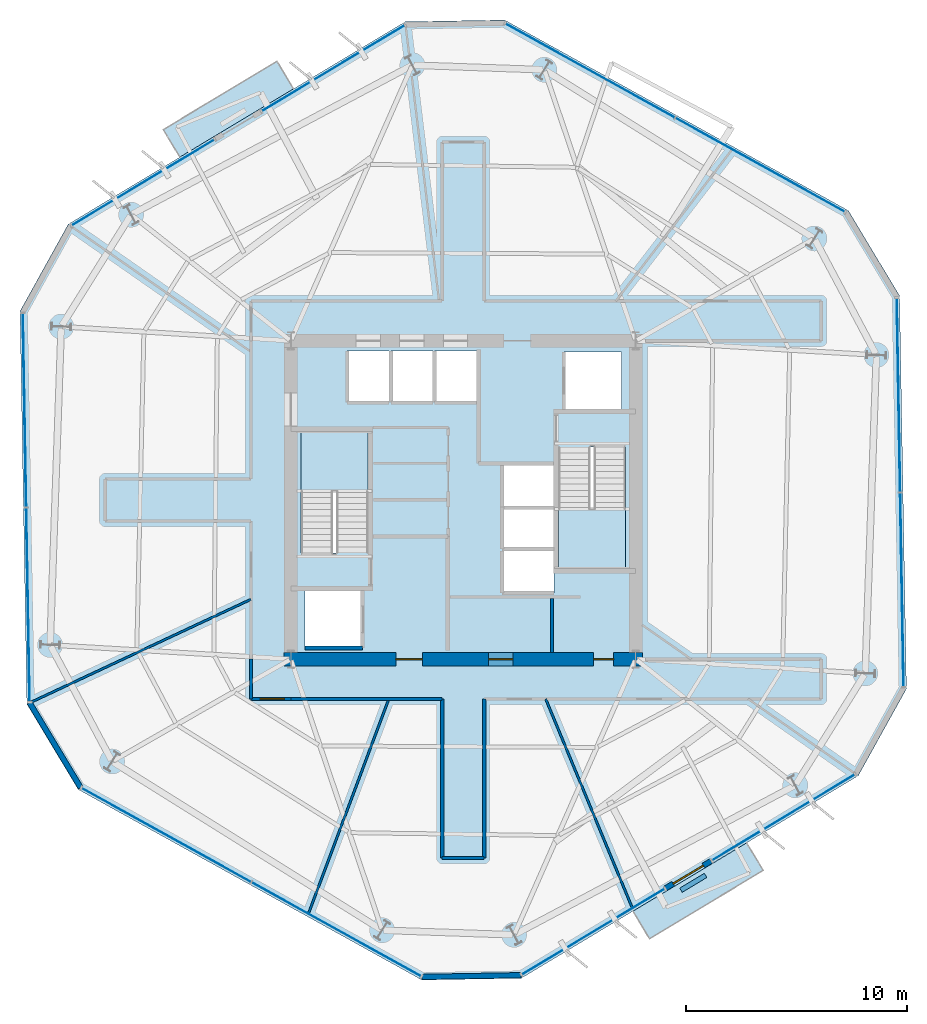
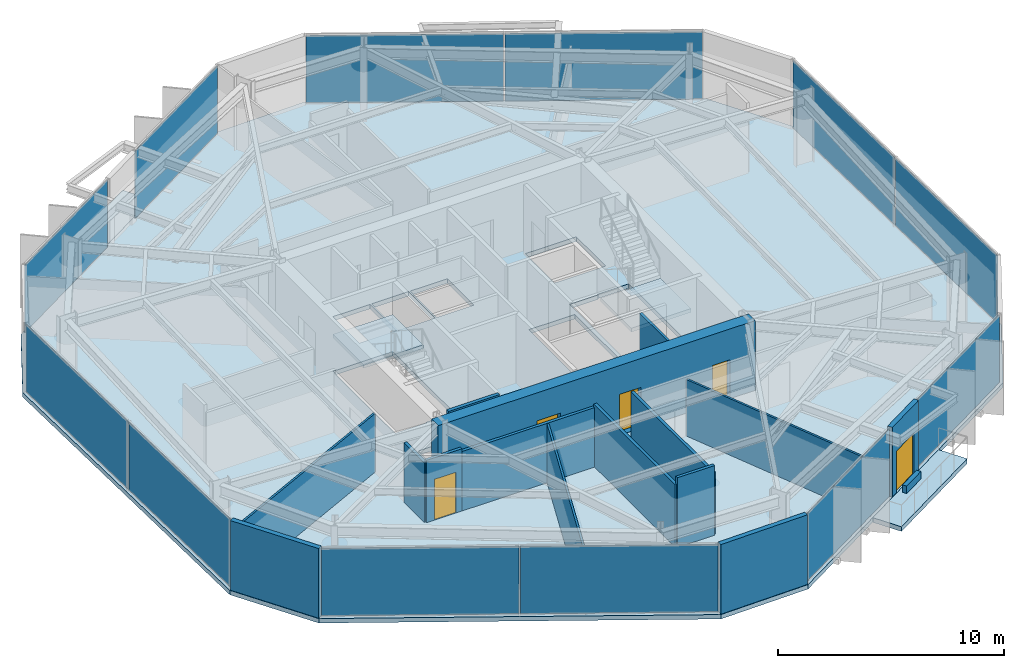
# One storey, part 6 of 11: 16 walls, 12 plates, 5 doors, 5 slabs, 5 openings, 10 elements without a shape of their own.
"""IFC4 building model written with IfcOpenShell, lengths in metres."""

from ifc_helpers import new_model, si_unit, direction, frame, frame_2d, origin, origin_2d, place, context, subcontext, project, spatial, polyline, rectangle, outline, extrude, material, layer, layer_set, type_object, element, fill, aggregate, save


model = new_model("IFC4")

# Units and contexts
model_context = context("Model", 3, precision=1e-05, world=origin(), true_north=direction((0.0, 1.0)))
body_context = subcontext(model_context, "Body", "Model", "MODEL_VIEW")
ifc_project = project(units=[si_unit("LENGTHUNIT", "METRE"), si_unit("AREAUNIT", "SQUARE_METRE"), si_unit("VOLUMEUNIT", "CUBIC_METRE"), si_unit("PLANEANGLEUNIT", "RADIAN"), si_unit("MASSUNIT", "GRAM", prefix="KILO")], contexts=[model_context])

# Site, building, storey
site_placement = place(None, origin())
site = spatial("IfcSite", under=ifc_project, at=site_placement, CompositionType="ELEMENT")
building_placement = place(site_placement, origin())
building = spatial("IfcBuilding", under=site, at=building_placement, Name="Kranzbogen Civic Tower", CompositionType="ELEMENT")
storey_placement = place(building_placement, frame((0.0, 0.0, 146.39990234375)))
storey = spatial("IfcBuildingStorey", under=building, at=storey_placement, Name="L35", CompositionType="ELEMENT", Elevation=146.39990234375)

# Slab
ifc_material_1 = material(Name="Concrete C40/50", Category="concrete")
ifc_layer_1 = layer(ifc_material_1, 0.239990234375, Name="Concrete C40/50")
ifc_layer_set_1 = layer_set([ifc_layer_1], Name="Concrete C40/50")
slab_type_1 = type_object("IfcSlabType", Name="Composite Lower Tower Floor Slab 240 mm", PredefinedType="FLOOR", material=ifc_layer_set_1)
slab_1_placement = place(storey_placement, frame((0.0, 0.0, -0.239990234375)))
element("IfcSlab", 1, at=slab_1_placement, inside=storey, type_object=slab_type_1, Name="L35 tower floor slab", PredefinedType="FLOOR", context=body_context, shape_type="SweptSolid", body=[
    extrude(outline(polyline([(42.424072265625, 38.093994140625), (26.87109375, 46.715087890625), (22.3720703125, 46.636962890625), (7.1298828125, 37.47802734375), (4.947998046875, 33.54296875), (5.258056640625, 15.762939453125), (7.575927734375, 11.906005859375), (23.12890625, 3.284912109375), (27.6279296875, 3.363037109375), (42.8701171875, 12.52197265625), (45.052001953125, 16.45703125), (44.741943359375, 34.237060546875), (42.424072265625, 38.093994140625)]), holes=[polyline([(20.449951171875, 20.89990234375), (20.449951171875, 18.300048828125), (17.85009765625, 18.300048828125), (17.85009765625, 20.89990234375), (20.449951171875, 20.89990234375)]), polyline([(29.10009765625, 22.699951171875), (29.10009765625, 20.800048828125), (26.75, 20.800048828125), (26.75, 22.699951171875), (29.10009765625, 22.699951171875)]), polyline([(29.10009765625, 24.64990234375), (29.10009765625, 22.77490234375), (26.75, 22.77490234375), (26.75, 24.64990234375), (26.75, 24.675048828125), (26.75, 26.550048828125), (29.10009765625, 26.550048828125), (29.10009765625, 24.675048828125), (29.10009765625, 24.64990234375)]), polyline([(30.75, 27.340087890625), (30.75, 27.39990234375), (32.35009765625, 27.39990234375), (32.35009765625, 21.89990234375), (29.300048828125, 21.89990234375), (29.300048828125, 27.340087890625), (30.75, 27.340087890625)]), polyline([(19.25, 22.659912109375), (19.25, 22.60009765625), (17.64990234375, 22.60009765625), (17.64990234375, 28.10009765625), (20.699951171875, 28.10009765625), (20.699951171875, 22.659912109375), (19.25, 22.659912109375)]), polyline([(32.14990234375, 31.699951171875), (32.14990234375, 29.10009765625), (29.550048828125, 29.10009765625), (29.550048828125, 31.699951171875), (32.14990234375, 31.699951171875)]), polyline([(21.64990234375, 31.75), (21.64990234375, 29.39990234375), (19.75, 29.39990234375), (19.75, 31.75), (21.64990234375, 31.75)]), polyline([(23.625, 29.39990234375), (21.72509765625, 29.39990234375), (21.72509765625, 31.75), (23.625, 31.75), (23.625, 29.39990234375)]), polyline([(25.60009765625, 29.39990234375), (23.699951171875, 29.39990234375), (23.699951171875, 31.75), (25.60009765625, 31.75), (25.60009765625, 29.39990234375)])]), origin(), (0.0, 0.0, 1.0), 0.239990234375),
])

# Curtain wall, plates
ifc_material_2 = material(Name="Pale Anodised Aluminium", Category="aluminium")
ifc_layer_2 = layer(ifc_material_2, 0.219970703125, Name="Pale Anodised Aluminium")
ifc_layer_set_2 = layer_set([ifc_layer_2], Name="Pale Anodised Aluminium")
curtain_wall_type = type_object("IfcCurtainWallType", Name="Zone 2 Stick Curtain Wall System CW-03", PredefinedType="USERDEFINED", material=ifc_layer_set_2)
curtain_wall_1_placement = place(storey_placement, origin())
curtain_wall_1 = element("IfcCurtainWall", 2, at=curtain_wall_1_placement, inside=storey, type_object=curtain_wall_type, Name="L35 curtain wall CW-L35-F1", ObjectType="STICK CURTAIN WALL", PredefinedType="USERDEFINED")
ifc_material_3 = material(Name="Low-E Triple Glazing Glass", Category="glass")
ifc_layer_3 = layer(ifc_material_3, 0.031982421875, Name="Low-E Triple Glazing Glass")
ifc_layer_set_3 = layer_set([ifc_layer_3], Name="Low-E Triple Glazing Glass")
plate_type = type_object("IfcPlateType", Name="Insulated Low-E Glazing Panel 32 mm", PredefinedType="CURTAIN_PANEL", material=ifc_layer_set_3)
plate_1_placement = place(storey_placement, frame((38.435546875, 40.15869140625, 0.06005859375), z_axis=(0.0, 0.0, 1.0), x_axis=(-0.874613413849, 0.484820973468, 0.0)))
plate_1 = element("IfcPlate", 3, at=plate_1_placement, type_object=plate_type, Name="CW-03 panel 1.1", PredefinedType="CURTAIN_PANEL", context=body_context, shape_type="SweptSolid", body=[
    extrude(rectangle(XDim=8.744140625, YDim=0.028076171875, at=origin_2d()), origin(), (0.0, 0.0, 1.0), 3.639892578125),
])
plate_2_placement = place(storey_placement, frame((30.7353515625, 44.42724609375, 0.06005859375), z_axis=(0.0, 0.0, 1.0), x_axis=(-0.874613413849, 0.484820973468, 0.0)))
plate_2 = element("IfcPlate", 4, at=plate_2_placement, type_object=plate_type, Name="CW-03 panel 2.1", PredefinedType="CURTAIN_PANEL", context=body_context, shape_type="SweptSolid", body=[
    extrude(rectangle(XDim=8.744140625, YDim=0.028076171875, at=origin_2d()), origin(), (0.0, 0.0, 1.0), 3.639892578125),
])
aggregate(curtain_wall_1, [plate_1, plate_2])

# Curtain wall, plate
curtain_wall_2_placement = place(storey_placement, origin())
curtain_wall_2 = element("IfcCurtainWall", 5, at=curtain_wall_2_placement, inside=storey, type_object=curtain_wall_type, Name="L35 curtain wall CW-L35-F2-S1", ObjectType="STICK CURTAIN WALL", PredefinedType="USERDEFINED")
plate_3_placement = place(storey_placement, frame((19.116943359375, 44.531982421875, 0.06005859375), z_axis=(0.0, 0.0, 1.0), x_axis=(-0.85716914484, -0.515035005738, 0.0)))
plate_3 = element("IfcPlate", 6, at=plate_3_placement, type_object=plate_type, Name="CW-03 panel 1.1", PredefinedType="CURTAIN_PANEL", context=body_context, shape_type="SweptSolid", body=[
    extrude(rectangle(XDim=7.514404296875, YDim=0.028076171875, at=origin_2d()), origin(), (0.0, 0.0, 1.0), 3.639892578125),
])
aggregate(curtain_wall_2, [plate_3])

curtain_wall_3_placement = place(storey_placement, origin())
curtain_wall_3 = element("IfcCurtainWall", 7, at=curtain_wall_3_placement, inside=storey, type_object=curtain_wall_type, Name="L35 curtain wall CW-L35-F2-S2", ObjectType="STICK CURTAIN WALL", PredefinedType="USERDEFINED")
plate_4_placement = place(storey_placement, frame((10.5166015625, 39.364013671875, 0.06005859375), z_axis=(0.0, 0.0, 1.0), x_axis=(-0.857134393632, -0.515092837509, 0.0)))
plate_4 = element("IfcPlate", 8, at=plate_4_placement, type_object=plate_type, Name="CW-03 panel 1.1", PredefinedType="CURTAIN_PANEL", context=body_context, shape_type="SweptSolid", body=[
    extrude(rectangle(XDim=7.513671875, YDim=0.028076171875, at=origin_2d()), origin(), (0.0, 0.0, 1.0), 3.639892578125),
])
aggregate(curtain_wall_3, [plate_4])

# Curtain wall, plates
curtain_wall_4_placement = place(storey_placement, origin())
curtain_wall_4 = element("IfcCurtainWall", 9, at=curtain_wall_4_placement, inside=storey, type_object=curtain_wall_type, Name="L35 curtain wall CW-L35-F3", ObjectType="STICK CURTAIN WALL", PredefinedType="USERDEFINED")
plate_5_placement = place(storey_placement, frame((5.154296875, 29.056396484375, 0.06005859375), z_axis=(0.0, 0.0, 1.0), x_axis=(0.017431971008, -0.999848051649, 0.0)))
plate_5 = element("IfcPlate", 10, at=plate_5_placement, type_object=plate_type, Name="CW-03 panel 1.1", PredefinedType="CURTAIN_PANEL", context=body_context, shape_type="SweptSolid", body=[
    extrude(rectangle(XDim=8.744384765625, YDim=0.028076171875, at=origin_2d()), origin(), (0.0, 0.0, 1.0), 3.639892578125),
])
plate_6_placement = place(storey_placement, frame((5.3076171875, 20.25341796875, 0.06005859375), z_axis=(0.0, 0.0, 1.0), x_axis=(0.017431971008, -0.999848051649, 0.0)))
plate_6 = element("IfcPlate", 11, at=plate_6_placement, type_object=plate_type, Name="CW-03 panel 2.1", PredefinedType="CURTAIN_PANEL", context=body_context, shape_type="SweptSolid", body=[
    extrude(rectangle(XDim=8.744384765625, YDim=0.028076171875, at=origin_2d()), origin(), (0.0, 0.0, 1.0), 3.639892578125),
])
aggregate(curtain_wall_4, [plate_5, plate_6])

curtain_wall_5_placement = place(storey_placement, origin())
curtain_wall_5 = element("IfcCurtainWall", 12, at=curtain_wall_5_placement, inside=storey, type_object=curtain_wall_type, Name="L35 curtain wall CW-L35-F4", ObjectType="STICK CURTAIN WALL", PredefinedType="USERDEFINED")
plate_7_placement = place(storey_placement, frame((11.564453125, 9.84130859375, 0.06005859375), z_axis=(0.0, 0.0, 1.0), x_axis=(0.874613413849, -0.484820973468, 0.0)))
plate_7 = element("IfcPlate", 13, at=plate_7_placement, type_object=plate_type, Name="CW-03 panel 1.1", PredefinedType="CURTAIN_PANEL", context=body_context, shape_type="SweptSolid", body=[
    extrude(rectangle(XDim=8.744140625, YDim=0.028076171875, at=origin_2d()), origin(), (0.0, 0.0, 1.0), 3.639892578125),
])
plate_8_placement = place(storey_placement, frame((19.2646484375, 5.57275390625, 0.06005859375), z_axis=(0.0, 0.0, 1.0), x_axis=(0.874613413849, -0.484820973468, 0.0)))
plate_8 = element("IfcPlate", 14, at=plate_8_placement, type_object=plate_type, Name="CW-03 panel 2.1", PredefinedType="CURTAIN_PANEL", context=body_context, shape_type="SweptSolid", body=[
    extrude(rectangle(XDim=8.744140625, YDim=0.028076171875, at=origin_2d()), origin(), (0.0, 0.0, 1.0), 3.639892578125),
])
aggregate(curtain_wall_5, [plate_7, plate_8])

# Curtain wall, plate
curtain_wall_6_placement = place(storey_placement, origin())
curtain_wall_6 = element("IfcCurtainWall", 15, at=curtain_wall_6_placement, inside=storey, type_object=curtain_wall_type, Name="L35 curtain wall CW-L35-F5-S1", ObjectType="STICK CURTAIN WALL", PredefinedType="USERDEFINED")
plate_9_placement = place(storey_placement, frame((30.882568359375, 5.468017578125, 0.06005859375), z_axis=(0.0, 0.0, 1.0), x_axis=(0.857134393632, 0.515092837509, 0.0)))
plate_9 = element("IfcPlate", 16, at=plate_9_placement, type_object=plate_type, Name="CW-03 panel 1.1", PredefinedType="CURTAIN_PANEL", context=body_context, shape_type="SweptSolid", body=[
    extrude(rectangle(XDim=7.513671875, YDim=0.028076171875, at=origin_2d()), origin(), (0.0, 0.0, 1.0), 3.639892578125),
])
aggregate(curtain_wall_6, [plate_9])

curtain_wall_7_placement = place(storey_placement, origin())
curtain_wall_7 = element("IfcCurtainWall", 17, at=curtain_wall_7_placement, inside=storey, type_object=curtain_wall_type, Name="L35 curtain wall CW-L35-F5-S2", ObjectType="STICK CURTAIN WALL", PredefinedType="USERDEFINED")
plate_10_placement = place(storey_placement, frame((39.4833984375, 10.635986328125, 0.06005859375), z_axis=(0.0, 0.0, 1.0), x_axis=(0.857134393632, 0.515092837509, 0.0)))
plate_10 = element("IfcPlate", 18, at=plate_10_placement, type_object=plate_type, Name="CW-03 panel 1.1", PredefinedType="CURTAIN_PANEL", context=body_context, shape_type="SweptSolid", body=[
    extrude(rectangle(XDim=7.513671875, YDim=0.028076171875, at=origin_2d()), origin(), (0.0, 0.0, 1.0), 3.639892578125),
])
aggregate(curtain_wall_7, [plate_10])

# Curtain wall, plates
curtain_wall_8_placement = place(storey_placement, origin())
curtain_wall_8 = element("IfcCurtainWall", 19, at=curtain_wall_8_placement, inside=storey, type_object=curtain_wall_type, Name="L35 curtain wall CW-L35-F6", ObjectType="STICK CURTAIN WALL", PredefinedType="USERDEFINED")
plate_11_placement = place(storey_placement, frame((44.845703125, 20.943603515625, 0.06005859375), z_axis=(0.0, 0.0, 1.0), x_axis=(-0.017431971008, 0.999848051649, 0.0)))
plate_11 = element("IfcPlate", 20, at=plate_11_placement, type_object=plate_type, Name="CW-03 panel 1.1", PredefinedType="CURTAIN_PANEL", context=body_context, shape_type="SweptSolid", body=[
    extrude(rectangle(XDim=8.744384765625, YDim=0.028076171875, at=origin_2d()), origin(), (0.0, 0.0, 1.0), 3.639892578125),
])
plate_12_placement = place(storey_placement, frame((44.6923828125, 29.74658203125, 0.06005859375), z_axis=(0.0, 0.0, 1.0), x_axis=(-0.017431971008, 0.999848051649, 0.0)))
plate_12 = element("IfcPlate", 21, at=plate_12_placement, type_object=plate_type, Name="CW-03 panel 2.1", PredefinedType="CURTAIN_PANEL", context=body_context, shape_type="SweptSolid", body=[
    extrude(rectangle(XDim=8.744384765625, YDim=0.028076171875, at=origin_2d()), origin(), (0.0, 0.0, 1.0), 3.639892578125),
])
aggregate(curtain_wall_8, [plate_11, plate_12])

# Stair, slab
ifc_material_4 = material(Name="Precast concrete C40/50", Category="concrete")
stair_type_1 = type_object("IfcStairType", Name="Tower Core Pressurized Dogleg Stair 1450", PredefinedType="HALF_TURN_STAIR", material=ifc_material_4)
stair_1_placement = place(storey_placement, origin())
stair_1 = element("IfcStair", 22, at=stair_1_placement, inside=storey, type_object=stair_type_1, Name="L35 Tower Core Pressurized Stair 1", PredefinedType="HALF_TURN_STAIR")
ifc_layer_4 = layer(ifc_material_4, 0.199951171875, Name="Precast concrete C40/50")
ifc_layer_set_4 = layer_set([ifc_layer_4], Name="Precast concrete C40/50")
slab_type_2 = type_object("IfcSlabType", Name="Precast Concrete Stair Landing Slab 200 mm", PredefinedType="LANDING", material=ifc_layer_set_4)
slab_2_placement = place(storey_placement, frame((0.0, 0.0, 1.800048828125)))
slab_2 = element("IfcSlab", 23, at=slab_2_placement, type_object=slab_type_2, Name="ST-T1 landing 1", PredefinedType="LANDING", context=body_context, shape_type="SweptSolid", body=[
    extrude(outline(polyline([(20.699951171875, 25.39990234375), (20.699951171875, 28.10009765625), (17.64990234375, 28.10009765625), (17.64990234375, 25.39990234375), (20.699951171875, 25.39990234375)])), origin(), (0.0, 0.0, 1.0), 0.199951171875),
])
aggregate(stair_1, [slab_2])

stair_type_2 = type_object("IfcStairType", Name="Tower Core Secondary Dogleg Stair 1450", PredefinedType="HALF_TURN_STAIR", material=ifc_material_4)
stair_2_placement = place(storey_placement, origin())
stair_2 = element("IfcStair", 24, at=stair_2_placement, inside=storey, type_object=stair_type_2, Name="L35 Tower Core Pressurized Stair 2", PredefinedType="HALF_TURN_STAIR")
slab_3_placement = place(storey_placement, frame((0.0, 0.0, 1.800048828125)))
slab_3 = element("IfcSlab", 25, at=slab_3_placement, type_object=slab_type_2, Name="ST-T2 landing 1", PredefinedType="LANDING", context=body_context, shape_type="SweptSolid", body=[
    extrude(outline(polyline([(29.300048828125, 24.60009765625), (29.300048828125, 21.89990234375), (32.35009765625, 21.89990234375), (32.35009765625, 24.60009765625), (29.300048828125, 24.60009765625)])), origin(), (0.0, 0.0, 1.0), 0.199951171875),
])
aggregate(stair_2, [slab_3])

# Slabs
ifc_layer_5 = layer(ifc_material_1, 0.25, Name="Concrete C40/50")
ifc_layer_set_5 = layer_set([ifc_layer_5], Name="Concrete C40/50")
slab_type_3 = type_object("IfcSlabType", Name="Tree Balcony Cantilevered Slab 250 mm", PredefinedType="FLOOR", material=ifc_layer_set_5)
slab_4_placement = place(storey_placement, frame((0.0, 0.0, -0.25)))
element("IfcSlab", 26, at=slab_4_placement, inside=storey, type_object=slab_type_3, Name="L35 cantilevered tree balcony L35-TB1", PredefinedType="FLOOR", context=body_context, shape_type="SweptSolid", body=[
    extrude(outline(polyline([(32.677978515625, 6.39697265625), (37.821044921875, 9.487060546875), (38.568115234375, 8.243896484375), (33.425048828125, 5.154052734375), (32.677978515625, 6.39697265625)])), origin(), (0.0, 0.0, 1.0), 0.25),
])
slab_5_placement = place(storey_placement, frame((0.0, 0.0, -0.25)))
element("IfcSlab", 27, at=slab_5_placement, inside=storey, type_object=slab_type_3, Name="L35 cantilevered tree balcony L35-TB2", PredefinedType="FLOOR", context=body_context, shape_type="SweptSolid", body=[
    extrude(outline(polyline([(17.322021484375, 43.60302734375), (12.178955078125, 40.512939453125), (11.431884765625, 41.756103515625), (16.574951171875, 44.845947265625), (17.322021484375, 43.60302734375)])), origin(), (0.0, 0.0, 1.0), 0.25),
])

# Wall, opening, door
ifc_material_5 = material(Name="Double-Stud Acoustic Gypsum Partition")
ifc_layer_6 = layer(ifc_material_5, 0.14990234375, Name="Double-Stud Acoustic Gypsum Partition")
ifc_layer_set_6 = layer_set([ifc_layer_6], Name="Double-Stud Acoustic Gypsum Partition")
wall_type_1 = type_object("IfcWallType", Name="Acoustic Corridor and Clinical Partition 150 mm", PredefinedType="PARTITIONING", material=ifc_layer_set_6)
wall_1_placement = place(storey_placement, frame((17.199951171875, 16.0, 0.0), z_axis=(0.0, 0.0, 1.0), x_axis=(-1.0, 0.0, 0.0)))
wall_1 = element("IfcWall", 28, at=wall_1_placement, inside=storey, type_object=wall_type_1, Name="L35 corridor partition 01", PredefinedType="PARTITIONING", context=body_context, shape_type="SweptSolid", body=[
    extrude(rectangle(XDim=1.800048828125, YDim=0.14990234375, at=frame_2d((0.89990234375, 0.0))), origin(), (0.0, 0.0, 1.0), 3.360107421875),
])
opening_1_placement = place(wall_1_placement, frame((0.287109375, 0.0, 0.0)))
opening_1 = element("IfcOpeningElement", 29, at=opening_1_placement, cuts=wall_1, Name="Opening D-COR60", PredefinedType="OPENING", context=body_context, shape_type="SweptSolid", body=[
    extrude(rectangle(XDim=1.10009765625, YDim=2.199951171875, at=frame_2d((0.550048828125, 1.10009765625))), frame((0.0, 0.0849609375, 0.0), z_axis=(0.0, -1.0, 0.0), x_axis=(1.0, 0.0, 0.0)), (0.0, 0.0, 1.0), 0.169921875),
])
ifc_material_6 = material(Name="Oak Timber and Fire Core", Category="wood")
door_type_1 = type_object("IfcDoorType", Name="Corridor Acoustic Fire Door 1100x2200", OperationType="NOTDEFINED", PredefinedType="DOOR", material=ifc_material_6)
door_1_placement = place(opening_1_placement, origin())
door_1 = element("IfcDoor", 30, at=door_1_placement, inside=storey, type_object=door_type_1, Name="L35 Executive Briefing Conference Room door", OperationType="SINGLE_SWING_RIGHT", OverallHeight=2.199951171875, OverallWidth=1.10009765625, PredefinedType="DOOR", context=body_context, shape_type="SweptSolid", body=[
    extrude(rectangle(XDim=1.10009765625, YDim=2.199951171875, at=frame_2d((0.550048828125, 1.10009765625))), frame((0.0, 0.02490234375, 0.0), z_axis=(0.0, -1.0, 0.0), x_axis=(1.0, 0.0, 0.0)), (0.0, 0.0, 1.0), 0.050048828125),
])
fill(opening_1, door_1)

# Walls
wall_2_placement = place(storey_placement, frame((15.39990234375, 16.0, 0.0), z_axis=(0.0, 0.0, 1.0), x_axis=(0.0, 1.0, 0.0)))
element("IfcWall", 31, at=wall_2_placement, inside=storey, type_object=wall_type_1, Name="L35 corridor partition 02", PredefinedType="PARTITIONING", context=body_context, shape_type="SweptSolid", body=[
    extrude(rectangle(XDim=1.800048828125, YDim=0.14990234375, at=frame_2d((0.89990234375, 0.0))), origin(), (0.0, 0.0, 1.0), 3.210205078125),
])
wall_3_placement = place(storey_placement, frame((25.949951171875, 16.0, 0.0), z_axis=(0.0, 0.0, 1.0), x_axis=(0.0, -1.0, 0.0)))
element("IfcWall", 32, at=wall_3_placement, inside=storey, type_object=wall_type_1, Name="L35 corridor partition 20", PredefinedType="PARTITIONING", context=body_context, shape_type="SweptSolid", body=[
    extrude(rectangle(XDim=7.199951171875, YDim=0.14990234375, at=frame_2d((3.60009765625, 0.0))), origin(), (0.0, 0.0, 1.0), 3.360107421875),
])
wall_4_placement = place(storey_placement, frame((25.949951171875, 8.800048828125, 0.0), z_axis=(0.0, 0.0, 1.0), x_axis=(-1.0, 0.0, 0.0)))
element("IfcWall", 33, at=wall_4_placement, inside=storey, type_object=wall_type_1, Name="L35 corridor partition 21", PredefinedType="PARTITIONING", context=body_context, shape_type="SweptSolid", body=[
    extrude(rectangle(XDim=1.89990234375, YDim=0.14990234375, at=frame_2d((0.949951171875, 0.0))), origin(), (0.0, 0.0, 1.0), 3.760009765625),
])
wall_5_placement = place(storey_placement, frame((24.050048828125, 8.800048828125, 0.0), z_axis=(0.0, 0.0, 1.0), x_axis=(0.0, 1.0, 0.0)))
element("IfcWall", 34, at=wall_5_placement, inside=storey, type_object=wall_type_1, Name="L35 corridor partition 22", PredefinedType="PARTITIONING", context=body_context, shape_type="SweptSolid", body=[
    extrude(rectangle(XDim=7.199951171875, YDim=0.14990234375, at=frame_2d((3.60009765625, 0.0))), origin(), (0.0, 0.0, 1.0), 3.360107421875),
])
wall_6_placement = place(storey_placement, frame((24.050048828125, 16.0, 0.0), z_axis=(0.0, 0.0, 1.0), x_axis=(-1.0, 0.0, 0.0)))
element("IfcWall", 35, at=wall_6_placement, inside=storey, type_object=wall_type_1, Name="L35 corridor partition 23", PredefinedType="PARTITIONING", context=body_context, shape_type="SweptSolid", body=[
    extrude(rectangle(XDim=6.85009765625, YDim=0.14990234375, at=frame_2d((3.425048828125, 0.0))), origin(), (0.0, 0.0, 1.0), 3.210205078125),
])
ifc_material_7 = material(Name="Insulated Metal-Stud Gypsum Partition")
ifc_layer_7 = layer(ifc_material_7, 0.125, Name="Insulated Metal-Stud Gypsum Partition")
ifc_layer_set_7 = layer_set([ifc_layer_7], Name="Insulated Metal-Stud Gypsum Partition")
wall_type_2 = type_object("IfcWallType", Name="Acoustic Inter-Room Partition 125 mm", PredefinedType="PARTITIONING", material=ifc_layer_set_7)
wall_7_placement = place(storey_placement, frame((29.010009765625, 18.10009765625, 0.0), z_axis=(0.0, 0.0, 1.0), x_axis=(0.0, 1.0, 0.0)))
element("IfcWall", 36, at=wall_7_placement, inside=storey, type_object=wall_type_2, Name="L35 core auxiliary partition 1", PredefinedType="PARTITIONING", context=body_context, shape_type="SweptSolid", body=[
    extrude(rectangle(XDim=2.449951171875, YDim=0.125, at=frame_2d((1.22509765625, 0.0))), origin(), (0.0, 0.0, 1.0), 3.760009765625),
])
ifc_material_8 = material(Name="Architectural Precast Terracotta Concrete C40/50", Category="masonry")
ifc_layer_8 = layer(ifc_material_8, 0.219970703125, Name="Architectural Precast Terracotta Concrete C40/50")
ifc_layer_set_8 = layer_set([ifc_layer_8], Name="Architectural Precast Terracotta Concrete C40/50")
wall_type_3 = type_object("IfcWallType", Name="Architectural Tree Planter Kerb Wall 220 mm", PredefinedType="USERDEFINED", material=ifc_layer_set_8)
wall_8_placement = place(storey_placement, frame((34.84912109375, 7.345947265625, 0.0), z_axis=(0.0, 0.0, 1.0), x_axis=(0.856845918969, 0.515572566324, 0.0)))
element("IfcWall", 37, at=wall_8_placement, inside=storey, type_object=wall_type_3, Name="L35 landscaped tree balcony planter L35-TB1", ObjectType="PLANTER_WALL", PredefinedType="USERDEFINED", context=body_context, shape_type="SweptSolid", body=[
    extrude(rectangle(XDim=1.2998046875, YDim=0.219970703125, at=frame_2d((0.64990234375, 0.0))), origin(), (0.0, 0.0, 1.0), 0.400146484375),
])

# Wall, openings, doors
ifc_material_9 = material(Name="Concrete C55/67", Category="concrete")
ifc_layer_9 = layer(ifc_material_9, 0.60009765625, Name="Concrete C55/67")
ifc_layer_set_9 = layer_set([ifc_layer_9], Name="Concrete C55/67")
wall_type_4 = type_object("IfcWallType", Name="Central Core Shear Wall 600 mm", PredefinedType="SHEAR", material=ifc_layer_set_9)
wall_9_placement = place(storey_placement, frame((16.89990234375, 17.800048828125, 0.0), z_axis=(0.0, 0.0, 1.0), x_axis=(1.0, 0.0, 0.0)))
wall_9 = element("IfcWall", 38, at=wall_9_placement, inside=storey, type_object=wall_type_4, Name="L35 central core South shear wall", PredefinedType="SHEAR", context=body_context, shape_type="SweptSolid", body=[
    extrude(rectangle(XDim=16.2001953125, YDim=0.60009765625, at=frame_2d((8.10009765625, 0.0))), origin(), (0.0, 0.0, 1.0), 3.760009765625),
])
opening_2_placement = place(wall_9_placement, frame((5.050048828125, 0.0, 0.0)))
opening_2 = element("IfcOpeningElement", 39, at=opening_2_placement, cuts=wall_9, Name="Opening D-EX120", PredefinedType="OPENING", context=body_context, shape_type="SweptSolid", body=[
    extrude(rectangle(XDim=1.199951171875, YDim=2.25, at=frame_2d((0.60009765625, 1.125))), frame((0.0, 0.31005859375, 0.0), z_axis=(0.0, -1.0, 0.0), x_axis=(1.0, 0.0, 0.0)), (0.0, 0.0, 1.0), 0.6201171875),
])
opening_3_placement = place(wall_9_placement, frame((14.0, 0.0, 0.0)))
opening_3 = element("IfcOpeningElement", 40, at=opening_3_placement, cuts=wall_9, Name="Opening D-WC90", PredefinedType="OPENING", context=body_context, shape_type="SweptSolid", body=[
    extrude(rectangle(XDim=0.89990234375, YDim=2.10009765625, at=frame_2d((0.449951171875, 1.050048828125))), frame((0.0, 0.31005859375, 0.0), z_axis=(0.0, -1.0, 0.0), x_axis=(1.0, 0.0, 0.0)), (0.0, 0.0, 1.0), 0.6201171875),
])
opening_4_placement = place(wall_9_placement, frame((9.25, 0.0, 0.0)))
opening_4 = element("IfcOpeningElement", 41, at=opening_4_placement, cuts=wall_9, Name="Opening D-COR60", PredefinedType="OPENING", context=body_context, shape_type="SweptSolid", body=[
    extrude(rectangle(XDim=1.10009765625, YDim=2.199951171875, at=frame_2d((0.550048828125, 1.10009765625))), frame((0.0, 0.31005859375, 0.0), z_axis=(0.0, -1.0, 0.0), x_axis=(1.0, 0.0, 0.0)), (0.0, 0.0, 1.0), 0.6201171875),
])
door_2_placement = place(opening_4_placement, origin())
door_2 = element("IfcDoor", 42, at=door_2_placement, inside=storey, type_object=door_type_1, Name="L35 REC1 archive room door", OperationType="SINGLE_SWING_LEFT", OverallHeight=2.199951171875, OverallWidth=1.10009765625, PredefinedType="DOOR", context=body_context, shape_type="SweptSolid", body=[
    extrude(rectangle(XDim=1.10009765625, YDim=2.199951171875, at=frame_2d((0.550048828125, 1.10009765625))), frame((0.0, 0.02490234375, 0.0), z_axis=(0.0, -1.0, 0.0), x_axis=(1.0, 0.0, 0.0)), (0.0, 0.0, 1.0), 0.050048828125),
])
fill(opening_4, door_2)
ifc_material_10 = material(Name="Steel S355", Category="steel")
door_type_2 = type_object("IfcDoorType", Name="Exit Passageway Fire Door 1200x2250", OperationType="NOTDEFINED", PredefinedType="DOOR", material=ifc_material_10)
door_3_placement = place(opening_2_placement, origin())
door_3 = element("IfcDoor", 43, at=door_3_placement, inside=storey, type_object=door_type_2, Name="L35 West firefighting lobby corridor door", OperationType="SINGLE_SWING_LEFT", OverallHeight=2.25, OverallWidth=1.199951171875, PredefinedType="DOOR", context=body_context, shape_type="SweptSolid", body=[
    extrude(rectangle(XDim=1.199951171875, YDim=2.25, at=frame_2d((0.60009765625, 1.125))), frame((0.0, 0.02490234375, 0.0), z_axis=(0.0, -1.0, 0.0), x_axis=(1.0, 0.0, 0.0)), (0.0, 0.0, 1.0), 0.050048828125),
])
fill(opening_2, door_3)
ifc_material_11 = material(Name="Moisture-Resistant Laminate")
door_type_3 = type_object("IfcDoorType", Name="Standard Restroom and Store Door 900x2100", OperationType="NOTDEFINED", PredefinedType="DOOR", material=ifc_material_11)
door_4_placement = place(opening_3_placement, origin())
door_4 = element("IfcDoor", 44, at=door_4_placement, inside=storey, type_object=door_type_3, Name="L35 East electrical riser access door", OperationType="SINGLE_SWING_RIGHT", OverallHeight=2.10009765625, OverallWidth=0.89990234375, PredefinedType="DOOR", context=body_context, shape_type="SweptSolid", body=[
    extrude(rectangle(XDim=0.89990234375, YDim=2.10009765625, at=frame_2d((0.449951171875, 1.050048828125))), frame((0.0, 0.02490234375, 0.0), z_axis=(0.0, -1.0, 0.0), x_axis=(1.0, 0.0, 0.0)), (0.0, 0.0, 1.0), 0.050048828125),
])
fill(opening_3, door_4)

# Walls
ifc_material_12 = material(Name="Demountable Aluminium and Gypsum Partition", Category="aluminium")
ifc_layer_10 = layer(ifc_material_12, 0.10009765625, Name="Demountable Aluminium and Gypsum Partition")
ifc_layer_set_10 = layer_set([ifc_layer_10], Name="Demountable Aluminium and Gypsum Partition")
wall_type_5 = type_object("IfcWallType", Name="Demountable Office Partition 100 mm", PredefinedType="MOVABLE", material=ifc_layer_set_10)
wall_10_placement = place(storey_placement, frame((15.39990234375, 20.508056640625, 0.0), z_axis=(0.0, 0.0, 1.0), x_axis=(-0.905754360865, -0.423803064847, 0.0)))
element("IfcWall", 45, at=wall_10_placement, inside=storey, type_object=wall_type_5, Name="L35 radial room partition 04", PredefinedType="MOVABLE", context=body_context, shape_type="SweptSolid", body=[
    extrude(rectangle(XDim=11.0380859375, YDim=0.10009765625, at=frame_2d((5.51904296875, 0.0))), origin(), (0.0, 0.0, 1.0), 3.16015625),
])
wall_11_placement = place(storey_placement, frame((21.633056640625, 16.0, 0.0), z_axis=(0.0, 0.0, 1.0), x_axis=(-0.350441839508, -0.936584495453, 0.0)))
element("IfcWall", 46, at=wall_11_placement, inside=storey, type_object=wall_type_5, Name="L35 radial room partition 05", PredefinedType="MOVABLE", context=body_context, shape_type="SweptSolid", body=[
    extrude(rectangle(XDim=10.3642578125, YDim=0.10009765625, at=frame_2d((5.18212890625, 0.0))), origin(), (0.0, 0.0, 1.0), 3.16015625),
])
wall_12_placement = place(storey_placement, frame((28.72998046875, 16.0, 0.0), z_axis=(0.0, 0.0, 1.0), x_axis=(0.382840702712, -0.923814373317, 0.0)))
element("IfcWall", 47, at=wall_12_placement, inside=storey, type_object=wall_type_5, Name="L35 radial room partition 06", PredefinedType="MOVABLE", context=body_context, shape_type="SweptSolid", body=[
    extrude(rectangle(XDim=10.2314453125, YDim=0.10009765625, at=frame_2d((5.11572265625, 0.0))), origin(), (0.0, 0.0, 1.0), 3.050048828125),
])
ifc_material_13 = material(Name="Gypsum Fireboard Shaftliner")
ifc_layer_11 = layer(ifc_material_13, 0.175048828125, Name="Gypsum Fireboard Shaftliner")
ifc_layer_set_11 = layer_set([ifc_layer_11], Name="Gypsum Fireboard Shaftliner")
wall_type_6 = type_object("IfcWallType", Name="Fire-Rated Lift and Service Shaft Wall 175 mm", PredefinedType="PARTITIONING", material=ifc_layer_set_11)
wall_13_placement = place(storey_placement, frame((17.85009765625, 18.300048828125, 0.0), z_axis=(0.0, 0.0, 1.0), x_axis=(1.0, 0.0, 0.0)))
element("IfcWall", 48, at=wall_13_placement, inside=storey, type_object=wall_type_6, Name="L35 lift FF-01 side wall", PredefinedType="PARTITIONING", context=body_context, shape_type="SweptSolid", body=[
    extrude(rectangle(XDim=2.599853515625, YDim=0.175048828125, at=frame_2d((1.2998046875, 0.0))), origin(), (0.0, 0.0, 1.0), 3.760009765625),
])
ifc_layer_12 = layer(ifc_material_2, 0.239990234375, Name="Pale Anodised Aluminium")
ifc_layer_set_12 = layer_set([ifc_layer_12], Name="Pale Anodised Aluminium")
wall_type_7 = type_object("IfcWallType", Name="Insulated Aluminium Facade Portal Wall 240 mm", PredefinedType="STANDARD", material=ifc_layer_set_12)
for number, where, z_axis, x_axis, name in (
    (49, (5.385009765625, 15.822021484375, 0.0), (0.0, 0.0, 1.0), (0.515113973, -0.857121691955, 0.0), "L35 chamfered corner facade spandrel 3"),
    (50, (23.14111328125, 3.424072265625, 0.0), (0.0, 0.0, 1.0), (0.999848251902, 0.017420481313, 0.0), "L35 chamfered corner facade spandrel 4"),
):
    element("IfcWall", number, at=place(storey_placement, frame(where, z_axis=z_axis, x_axis=x_axis)), inside=storey, type_object=wall_type_7, Name=name, PredefinedType="STANDARD", context=body_context, shape_type="SweptSolid", body=[
        extrude(rectangle(XDim=4.470703125, YDim=0.239990234375, at=frame_2d((2.2353515625, 0.0))), origin(), (0.0, 0.0, 1.0), 3.760009765625),
    ])

# Wall, opening, door
wall_14_placement = place(storey_placement, frame((34.154052734375, 7.43408203125, 0.0), z_axis=(0.0, 0.0, 1.0), x_axis=(0.857286451771, 0.514839722253, 0.0)))
wall_14 = element("IfcWall", 51, at=wall_14_placement, inside=storey, type_object=wall_type_7, Name="L35 exterior entrance portal wall 1", PredefinedType="STANDARD", context=body_context, shape_type="SweptSolid", body=[
    extrude(rectangle(XDim=2.400390625, YDim=0.239990234375, at=frame_2d((1.2001953125, 0.0))), origin(), (0.0, 0.0, 1.0), 3.760009765625),
])
opening_5_placement = place(wall_14_placement, frame((0.39990234375, 0.0, 0.0)))
opening_5 = element("IfcOpeningElement", 52, at=opening_5_placement, cuts=wall_14, Name="Opening D-TER", PredefinedType="OPENING", context=body_context, shape_type="SweptSolid", body=[
    extrude(rectangle(XDim=1.60009765625, YDim=2.25, at=frame_2d((0.800048828125, 1.125))), frame((0.0, 0.1298828125, 0.0), z_axis=(0.0, -1.0, 0.0), x_axis=(1.0, 0.0, 0.0)), (0.0, 0.0, 1.0), 0.260009765625),
])
ifc_material_14 = material(Name="Anodised Bronze and Triple Glass", Category="glass")
door_type_4 = type_object("IfcDoorType", Name="Glazed Terrace and Balcony Double Door 1600x2250", OperationType="DOUBLE_DOOR_SINGLE_SWING", PredefinedType="DOOR", material=ifc_material_14)
door_5_placement = place(opening_5_placement, frame((1.60009765625, 0.0, 0.0), z_axis=(0.0, 0.0, 1.0), x_axis=(-1.0, 0.0, 0.0)))
door_5 = element("IfcDoor", 53, at=door_5_placement, inside=storey, type_object=door_type_4, Name="L35 tree balcony access door L35-TB1", OperationType="DOUBLE_DOOR_SINGLE_SWING", OverallHeight=2.25, OverallWidth=1.60009765625, PredefinedType="DOOR", context=body_context, shape_type="SweptSolid", body=[
    extrude(rectangle(XDim=1.60009765625, YDim=2.25, at=frame_2d((0.800048828125, 1.125))), frame((0.0, 0.02490234375, 0.0), z_axis=(0.0, -1.0, 0.0), x_axis=(1.0, 0.0, 0.0)), (0.0, 0.0, 1.0), 0.050048828125),
])
fill(opening_5, door_5)

save(model, "model.ifc")
